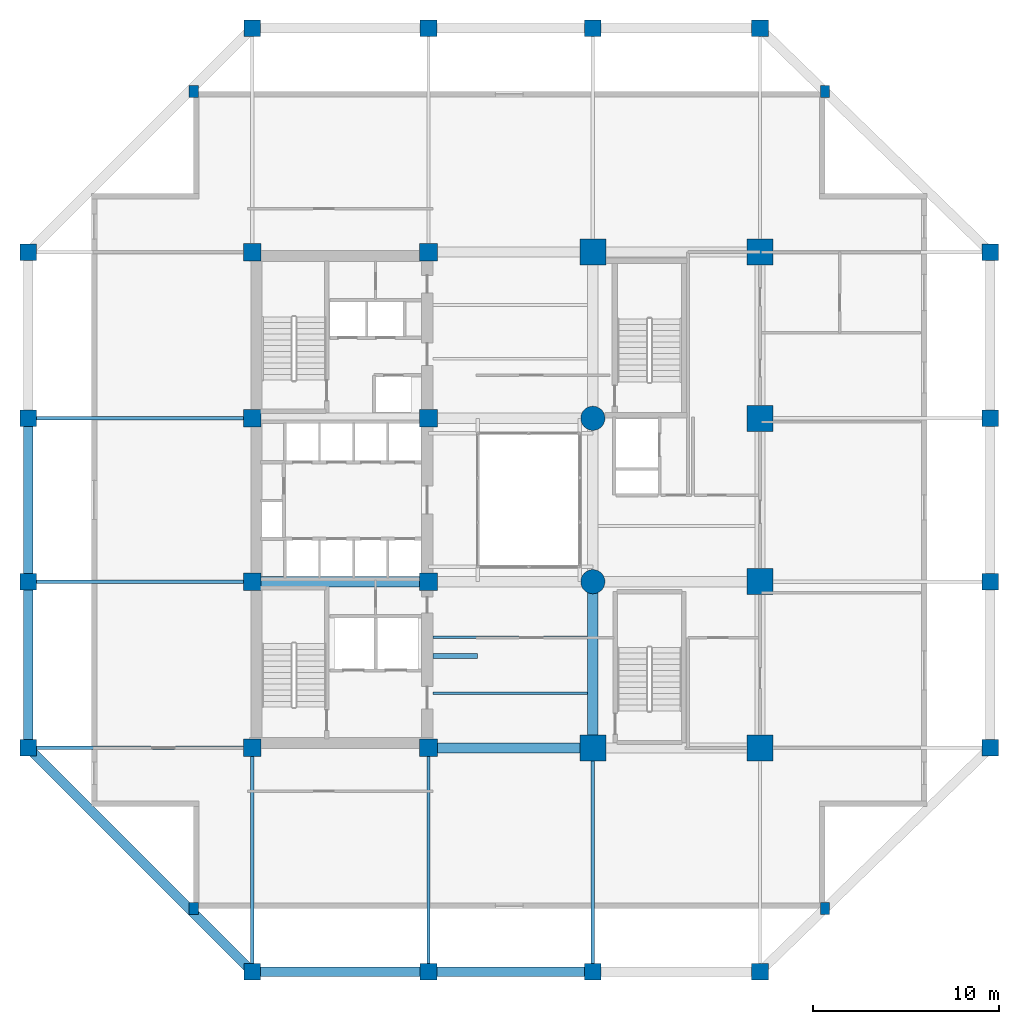
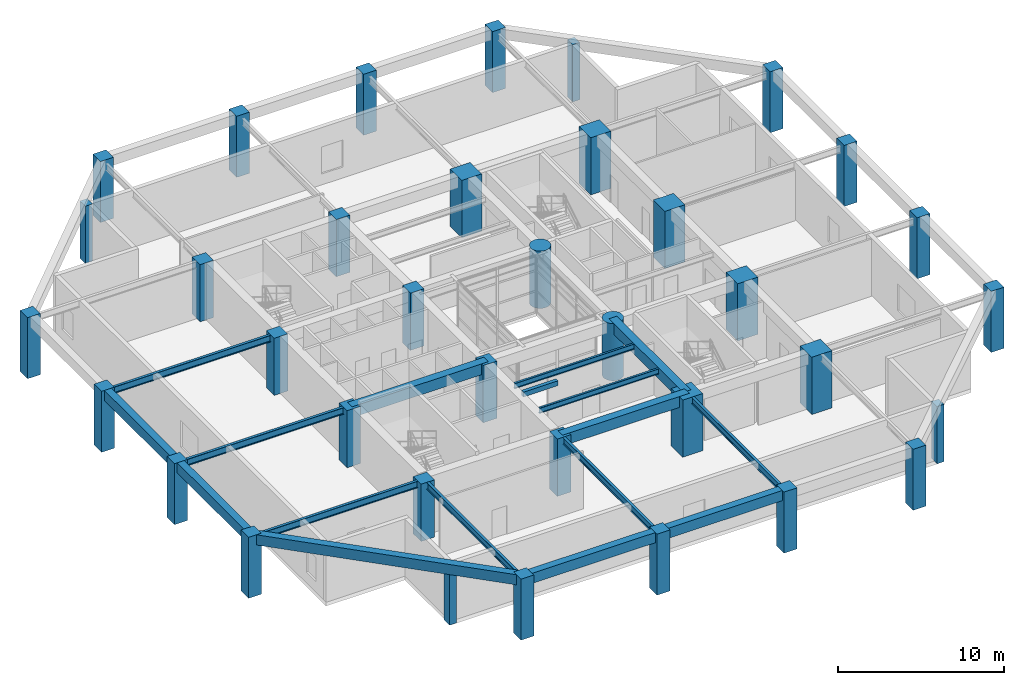
# One storey, part 1 of 10: 36 columns, 17 beams.
"""IFC4 building model written with IfcOpenShell, lengths in metres."""

from ifc_helpers import new_model, si_unit, direction, frame, origin, origin_2d, place, context, subcontext, project, spatial, rectangle, circle, i_section, extrude, material, material_profile, profile_set, type_object, element, save


model = new_model("IFC4")

# Units and contexts
model_context = context("Model", 3, precision=1e-05, world=origin(), true_north=direction((0.0, 1.0)))
body_context = subcontext(model_context, "Body", "Model", "MODEL_VIEW")
ifc_project = project(units=[si_unit("LENGTHUNIT", "METRE"), si_unit("AREAUNIT", "SQUARE_METRE"), si_unit("VOLUMEUNIT", "CUBIC_METRE"), si_unit("PLANEANGLEUNIT", "RADIAN"), si_unit("MASSUNIT", "GRAM", prefix="KILO")], contexts=[model_context])

# Site, building, storey
site_placement = place(None, origin())
site = spatial("IfcSite", under=ifc_project, at=site_placement, CompositionType="ELEMENT")
building_placement = place(site_placement, origin())
building = spatial("IfcBuilding", under=site, at=building_placement, Name="Kundavana Baori Tower", CompositionType="ELEMENT")
storey_placement = place(building_placement, frame((0.0, 0.0, 8.0)))
storey = spatial("IfcBuildingStorey", under=building, at=storey_placement, Name="L01", CompositionType="ELEMENT", Elevation=8.0)

# Columns
ifc_material_1 = material(Name="Concrete C60/75", Category="concrete")
ifc_material_profile_1 = material_profile(ifc_material_1, rectangle(XDim=0.89990234375, YDim=0.89990234375, at=origin_2d()), Name="RC PF 900x900")
ifc_profile_set_1 = profile_set([ifc_material_profile_1], Name="Concrete C60/75")
column_type_1 = type_object("IfcColumnType", Name="COL-PF-900", PredefinedType="COLUMN", material=ifc_profile_set_1)
for number, where, z_axis, x_axis, name in (
    (1, (15.449951171875, 3.199951171875, 0.0), (0.0, 0.0, 1.0), (1.0, 0.0, 0.0), "L01 Stone-Clad Perimeter Frame Column PF-S1"),
    (2, (15.449951171875, 54.0, 0.0), (0.0, 0.0, 1.0), (1.0, 0.0, 0.0), "L01 Stone-Clad Perimeter Frame Column PF-N1"),
    (3, (24.949951171875, 3.199951171875, 0.0), (0.0, 0.0, 1.0), (1.0, 0.0, 0.0), "L01 Stone-Clad Perimeter Frame Column PF-S2"),
    (4, (24.949951171875, 54.0, 0.0), (0.0, 0.0, 1.0), (1.0, 0.0, 0.0), "L01 Stone-Clad Perimeter Frame Column PF-N2"),
    (5, (33.800048828125, 3.199951171875, 0.0), (0.0, 0.0, 1.0), (1.0, 0.0, 0.0), "L01 Stone-Clad Perimeter Frame Column PF-S3"),
    (6, (33.800048828125, 54.0, 0.0), (0.0, 0.0, 1.0), (1.0, 0.0, 0.0), "L01 Stone-Clad Perimeter Frame Column PF-N3"),
    (7, (42.800048828125, 3.199951171875, 0.0), (0.0, 0.0, 1.0), (1.0, 0.0, 0.0), "L01 Stone-Clad Perimeter Frame Column PF-S4"),
    (8, (42.800048828125, 54.0, 0.0), (0.0, 0.0, 1.0), (1.0, 0.0, 0.0), "L01 Stone-Clad Perimeter Frame Column PF-N4"),
    (9, (3.39990234375, 15.25, 0.0), (0.0, 0.0, 1.0), (1.0, 0.0, 0.0), "L01 Stone-Clad Perimeter Frame Column PF-W1"),
    (10, (55.199951171875, 15.25, 0.0), (0.0, 0.0, 1.0), (1.0, 0.0, 0.0), "L01 Stone-Clad Perimeter Frame Column PF-E1"),
    (11, (3.39990234375, 24.199951171875, 0.0), (0.0, 0.0, 1.0), (1.0, 0.0, 0.0), "L01 Stone-Clad Perimeter Frame Column PF-W2"),
    (12, (55.199951171875, 24.199951171875, 0.0), (0.0, 0.0, 1.0), (1.0, 0.0, 0.0), "L01 Stone-Clad Perimeter Frame Column PF-E2"),
    (13, (3.39990234375, 33.0, 0.0), (0.0, 0.0, 1.0), (1.0, 0.0, 0.0), "L01 Stone-Clad Perimeter Frame Column PF-W3"),
    (14, (55.199951171875, 33.0, 0.0), (0.0, 0.0, 1.0), (1.0, 0.0, 0.0), "L01 Stone-Clad Perimeter Frame Column PF-E3"),
    (15, (3.39990234375, 41.949951171875, 0.0), (0.0, 0.0, 1.0), (1.0, 0.0, 0.0), "L01 Stone-Clad Perimeter Frame Column PF-W4"),
    (16, (55.199951171875, 41.949951171875, 0.0), (0.0, 0.0, 1.0), (1.0, 0.0, 0.0), "L01 Stone-Clad Perimeter Frame Column PF-E4"),
):
    element("IfcColumn", number, at=place(storey_placement, frame(where, z_axis=z_axis, x_axis=x_axis)), inside=storey, type_object=column_type_1, Name=name, PredefinedType="COLUMN", context=body_context, shape_type="SweptSolid", body=[
        extrude(rectangle(XDim=0.89990234375, YDim=0.89990234375, at=origin_2d()), origin(), (0.0, 0.0, 1.0), 4.5),
    ])
ifc_material_2 = material(Name="Concrete C50/60", Category="concrete")
ifc_material_profile_2 = material_profile(ifc_material_2, rectangle(XDim=0.5, YDim=0.64990234375, at=origin_2d()), Name="RC PIL 500x650")
ifc_profile_set_2 = profile_set([ifc_material_profile_2], Name="Concrete C50/60")
column_type_2 = type_object("IfcColumnType", Name="COL-PIL-500", PredefinedType="PILASTER", material=ifc_profile_set_2)
for number, where, z_axis, x_axis, name in (
    (17, (12.300048828125, 6.60009765625, 0.0), (0.0, 0.0, 1.0), (1.0, 0.0, 0.0), "L01 Corner Notch Pilaster 1"),
    (18, (46.300048828125, 6.60009765625, 0.0), (0.0, 0.0, 1.0), (1.0, 0.0, 0.0), "L01 Corner Notch Pilaster 2"),
    (19, (46.300048828125, 50.60009765625, 0.0), (0.0, 0.0, 1.0), (1.0, 0.0, 0.0), "L01 Corner Notch Pilaster 3"),
    (20, (12.300048828125, 50.60009765625, 0.0), (0.0, 0.0, 1.0), (1.0, 0.0, 0.0), "L01 Corner Notch Pilaster 4"),
):
    element("IfcColumn", number, at=place(storey_placement, frame(where, z_axis=z_axis, x_axis=x_axis)), inside=storey, type_object=column_type_2, Name=name, PredefinedType="PILASTER", context=body_context, shape_type="SweptSolid", body=[
        extrude(rectangle(XDim=0.5, YDim=0.64990234375, at=origin_2d()), origin(), (0.0, 0.0, 1.0), 4.219970703125),
    ])
ifc_material_3 = material(Name="Concrete C60/75", Category="concrete")
ifc_material_profile_3 = material_profile(ifc_material_3, rectangle(XDim=1.39990234375, YDim=1.39990234375, at=origin_2d()), Name="RC 1400x1400")
ifc_profile_set_3 = profile_set([ifc_material_profile_3], Name="Concrete C60/75")
column_type_3 = type_object("IfcColumnType", Name="COL-RC-1400", PredefinedType="COLUMN", material=ifc_profile_set_3)
for number, where, z_axis, x_axis, name in (
    (21, (33.800048828125, 15.25, 0.0), (0.0, 0.0, 1.0), (1.0, 0.0, 0.0), "L01 Interior Column IC-5C"),
    (22, (33.800048828125, 41.949951171875, 0.0), (0.0, 0.0, 1.0), (1.0, 0.0, 0.0), "L01 Interior Column IC-5F"),
    (23, (42.800048828125, 15.25, 0.0), (0.0, 0.0, 1.0), (1.0, 0.0, 0.0), "L01 Interior Column IC-6C"),
    (24, (42.800048828125, 24.199951171875, 0.0), (0.0, 0.0, 1.0), (1.0, 0.0, 0.0), "L01 Interior Column IC-6D"),
    (25, (42.800048828125, 33.0, 0.0), (0.0, 0.0, 1.0), (1.0, 0.0, 0.0), "L01 Interior Column IC-6E"),
    (26, (42.800048828125, 41.949951171875, 0.0), (0.0, 0.0, 1.0), (1.0, 0.0, 0.0), "L01 Interior Column IC-6F"),
):
    element("IfcColumn", number, at=place(storey_placement, frame(where, z_axis=z_axis, x_axis=x_axis)), inside=storey, type_object=column_type_3, Name=name, PredefinedType="COLUMN", context=body_context, shape_type="SweptSolid", body=[
        extrude(rectangle(XDim=1.39990234375, YDim=1.39990234375, at=origin_2d()), origin(), (0.0, 0.0, 1.0), 4.219970703125),
    ])
ifc_material_4 = material(Name="Concrete C50/60", Category="concrete")
ifc_material_profile_4 = material_profile(ifc_material_4, rectangle(XDim=0.949951171875, YDim=0.949951171875, at=origin_2d()), Name="RC 950x950")
ifc_profile_set_4 = profile_set([ifc_material_profile_4], Name="Concrete C50/60")
column_type_4 = type_object("IfcColumnType", Name="COL-RC-950", PredefinedType="COLUMN", material=ifc_profile_set_4)
for number, where, z_axis, x_axis, name in (
    (27, (15.449951171875, 15.25, 0.0), (0.0, 0.0, 1.0), (1.0, 0.0, 0.0), "L01 Interior Column IC-3C"),
    (28, (15.449951171875, 24.199951171875, 0.0), (0.0, 0.0, 1.0), (1.0, 0.0, 0.0), "L01 Interior Column IC-3D"),
    (29, (15.449951171875, 33.0, 0.0), (0.0, 0.0, 1.0), (1.0, 0.0, 0.0), "L01 Interior Column IC-3E"),
    (30, (15.449951171875, 41.949951171875, 0.0), (0.0, 0.0, 1.0), (1.0, 0.0, 0.0), "L01 Interior Column IC-3F"),
    (31, (24.949951171875, 15.25, 0.0), (0.0, 0.0, 1.0), (1.0, 0.0, 0.0), "L01 Interior Column IC-4C"),
    (32, (24.949951171875, 24.199951171875, 0.0), (0.0, 0.0, 1.0), (1.0, 0.0, 0.0), "L01 Interior Column IC-4D"),
    (33, (24.949951171875, 33.0, 0.0), (0.0, 0.0, 1.0), (1.0, 0.0, 0.0), "L01 Interior Column IC-4E"),
    (34, (24.949951171875, 41.949951171875, 0.0), (0.0, 0.0, 1.0), (1.0, 0.0, 0.0), "L01 Interior Column IC-4F"),
):
    element("IfcColumn", number, at=place(storey_placement, frame(where, z_axis=z_axis, x_axis=x_axis)), inside=storey, type_object=column_type_4, Name=name, PredefinedType="COLUMN", context=body_context, shape_type="SweptSolid", body=[
        extrude(rectangle(XDim=0.949951171875, YDim=0.949951171875, at=origin_2d()), origin(), (0.0, 0.0, 1.0), 4.219970703125),
    ])
ifc_material_5 = material(Name="Concrete C60/75", Category="concrete")
ifc_material_profile_5 = material_profile(ifc_material_5, circle(Radius=0.64990234375, at=origin_2d()), Name="RC D1300")
ifc_profile_set_5 = profile_set([ifc_material_profile_5], Name="Concrete C60/75")
column_type_5 = type_object("IfcColumnType", Name="COL-RC-D1300", PredefinedType="COLUMN", material=ifc_profile_set_5)
for number, where, z_axis, x_axis, name in (
    (35, (33.800048828125, 24.199951171875, 0.0), (0.0, 0.0, 1.0), (1.0, 0.0, 0.0), "L01 Interior Column IC-5D"),
    (36, (33.800048828125, 33.0, 0.0), (0.0, 0.0, 1.0), (1.0, 0.0, 0.0), "L01 Interior Column IC-5E"),
):
    element("IfcColumn", number, at=place(storey_placement, frame(where, z_axis=z_axis, x_axis=x_axis)), inside=storey, type_object=column_type_5, Name=name, PredefinedType="COLUMN", context=body_context, shape_type="SweptSolid", body=[
        extrude(circle(Radius=0.64990234375, at=origin_2d()), origin(), (0.0, 0.0, 1.0), 4.219970703125),
    ])

# Beams
ifc_material_6 = material(Name="Structural Steel S355JR", Category="steel")
ifc_material_profile_6 = material_profile(ifc_material_6, i_section(OverallWidth=0.139892578125, OverallDepth=0.39990234375, WebThickness=0.0087890625, FlangeThickness=0.01611328125, FilletRadius=0.013916015625, at=origin_2d()), Name="ISMB 400")
ifc_profile_set_6 = profile_set([ifc_material_profile_6], Name="Structural Steel S355JR")
beam_type_1 = type_object("IfcBeamType", Name="BM-JST-400", PredefinedType="JOIST", material=ifc_profile_set_6)
for number, where, z_axis, x_axis, name in (
    (37, (25.179931640625, 18.199951171875, 4.02001953125), (1.0, 0.0, 0.0), (0.0, 1.0, 0.0), "L01 Central Bay Composite Floor Joist C1"),
    (38, (25.179931640625, 21.199951171875, 4.02001953125), (1.0, 0.0, 0.0), (0.0, 1.0, 0.0), "L01 Central Bay Composite Floor Joist C2"),
):
    element("IfcBeam", number, at=place(storey_placement, frame(where, z_axis=z_axis, x_axis=x_axis)), inside=storey, type_object=beam_type_1, Name=name, PredefinedType="JOIST", context=body_context, shape_type="SweptSolid", body=[
        extrude(i_section(OverallWidth=0.139892578125, OverallDepth=0.39990234375, WebThickness=0.0087890625, FlangeThickness=0.01611328125, FilletRadius=0.013916015625, at=origin_2d()), origin(), (0.0, 0.0, 1.0), 8.344970703125),
    ])
ifc_material_7 = material(Name="Concrete C40/50", Category="concrete")
ifc_material_profile_7 = material_profile(ifc_material_7, rectangle(XDim=0.25, YDim=0.35009765625, at=origin_2d()), Name="RC LNT 250x350")
ifc_profile_set_7 = profile_set([ifc_material_profile_7], Name="Concrete C40/50")
beam_type_2 = type_object("IfcBeamType", Name="BM-LNT-350", PredefinedType="LINTEL", material=ifc_profile_set_7)
beam_1_placement = place(storey_placement, frame((25.179931640625, 20.199951171875, 4.044921875), z_axis=(1.0, 0.0, 0.0), x_axis=(0.0, 1.0, 0.0)))
element("IfcBeam", 39, at=beam_1_placement, inside=storey, type_object=beam_type_2, Name="L01 Atrium Gallery Portal Lintel Beam", PredefinedType="LINTEL", context=body_context, shape_type="SweptSolid", body=[
    extrude(rectangle(XDim=0.25, YDim=0.35009765625, at=origin_2d()), origin(), (0.0, 0.0, 1.0), 2.420166015625),
])
ifc_material_8 = material(Name="Concrete C50/60", Category="concrete")
ifc_material_profile_8 = material_profile(ifc_material_8, rectangle(XDim=0.5, YDim=0.75, at=origin_2d()), Name="RC BM 500x750")
ifc_profile_set_8 = profile_set([ifc_material_profile_8], Name="Concrete C50/60")
beam_type_3 = type_object("IfcBeamType", Name="BM-PF-750", PredefinedType="SPANDREL", material=ifc_profile_set_8)
beam_2_placement = place(storey_placement, frame((15.449951171875, 3.199951171875, 4.125), z_axis=(1.0, 0.0, 0.0), x_axis=(0.0, 1.0, 0.0)))
element("IfcBeam", 40, at=beam_2_placement, inside=storey, type_object=beam_type_3, Name="L01 Perimeter Frame Ring Beam S1", PredefinedType="SPANDREL", context=body_context, shape_type="SweptSolid", body=[
    extrude(rectangle(XDim=0.5, YDim=0.75, at=origin_2d()), origin(), (0.0, 0.0, 1.0), 9.5),
])
beam_3_placement = place(storey_placement, frame((24.949951171875, 3.199951171875, 4.125), z_axis=(1.0, 0.0, 0.0), x_axis=(0.0, 1.0, 0.0)))
element("IfcBeam", 41, at=beam_3_placement, inside=storey, type_object=beam_type_3, Name="L01 Perimeter Frame Ring Beam S2", PredefinedType="SPANDREL", context=body_context, shape_type="SweptSolid", body=[
    extrude(rectangle(XDim=0.5, YDim=0.75, at=origin_2d()), origin(), (0.0, 0.0, 1.0), 8.85009765625),
])
beam_4_placement = place(storey_placement, frame((3.39990234375, 15.25, 4.125), z_axis=(0.0, 1.0, 0.0), x_axis=(-1.0, 0.0, 0.0)))
element("IfcBeam", 42, at=beam_4_placement, inside=storey, type_object=beam_type_3, Name="L01 Perimeter Frame Ring Beam W1", PredefinedType="SPANDREL", context=body_context, shape_type="SweptSolid", body=[
    extrude(rectangle(XDim=0.5, YDim=0.75, at=origin_2d()), origin(), (0.0, 0.0, 1.0), 8.949951171875),
])
beam_5_placement = place(storey_placement, frame((3.39990234375, 24.199951171875, 4.125), z_axis=(0.0, 1.0, 0.0), x_axis=(-1.0, 0.0, 0.0)))
element("IfcBeam", 43, at=beam_5_placement, inside=storey, type_object=beam_type_3, Name="L01 Perimeter Frame Ring Beam W2", PredefinedType="SPANDREL", context=body_context, shape_type="SweptSolid", body=[
    extrude(rectangle(XDim=0.5, YDim=0.75, at=origin_2d()), origin(), (0.0, 0.0, 1.0), 8.800048828125),
])
beam_6_placement = place(storey_placement, frame((15.449951171875, 3.199951171875, 4.125), z_axis=(-0.707106781187, 0.707106781187, 0.0), x_axis=(-0.707106781187, -0.707106781187, 0.0)))
element("IfcBeam", 44, at=beam_6_placement, inside=storey, type_object=beam_type_3, Name="L01 Notched Corner Perimeter Beam SW", PredefinedType="SPANDREL", context=body_context, shape_type="SweptSolid", body=[
    extrude(rectangle(XDim=0.5, YDim=0.75, at=origin_2d()), origin(), (0.0, 0.0, 1.0), 17.041259765625),
])
ifc_material_9 = material(Name="Concrete C50/60", Category="concrete")
ifc_material_profile_9 = material_profile(ifc_material_9, rectangle(XDim=0.550048828125, YDim=0.800048828125, at=origin_2d()), Name="RC BM 550x800")
ifc_profile_set_9 = profile_set([ifc_material_profile_9], Name="Concrete C50/60")
beam_type_4 = type_object("IfcBeamType", Name="BM-RC-800", PredefinedType="BEAM", material=ifc_profile_set_9)
beam_7_placement = place(storey_placement, frame((24.949951171875, 15.25, 3.820068359375), z_axis=(1.0, 0.0, 0.0), x_axis=(0.0, 1.0, 0.0)))
element("IfcBeam", 45, at=beam_7_placement, inside=storey, type_object=beam_type_4, Name="L01 Primary Grid Girder GX-1-2", PredefinedType="BEAM", context=body_context, shape_type="SweptSolid", body=[
    extrude(rectangle(XDim=0.550048828125, YDim=0.800048828125, at=origin_2d()), origin(), (0.0, 0.0, 1.0), 8.85009765625),
])
beam_8_placement = place(storey_placement, frame((15.449951171875, 24.199951171875, 3.820068359375), z_axis=(1.0, 0.0, 0.0), x_axis=(0.0, 1.0, 0.0)))
element("IfcBeam", 46, at=beam_8_placement, inside=storey, type_object=beam_type_4, Name="L01 Primary Grid Girder GX-2-1", PredefinedType="BEAM", context=body_context, shape_type="SweptSolid", body=[
    extrude(rectangle(XDim=0.550048828125, YDim=0.800048828125, at=origin_2d()), origin(), (0.0, 0.0, 1.0), 9.5),
])
beam_9_placement = place(storey_placement, frame((33.800048828125, 15.25, 3.820068359375), z_axis=(0.0, 1.0, 0.0), x_axis=(-1.0, 0.0, 0.0)))
element("IfcBeam", 47, at=beam_9_placement, inside=storey, type_object=beam_type_4, Name="L01 Primary Grid Girder GY-3-1", PredefinedType="BEAM", context=body_context, shape_type="SweptSolid", body=[
    extrude(rectangle(XDim=0.550048828125, YDim=0.800048828125, at=origin_2d()), origin(), (0.0, 0.0, 1.0), 8.949951171875),
])
ifc_material_10 = material(Name="Structural Steel S355JR", Category="steel")
ifc_material_profile_10 = material_profile(ifc_material_10, i_section(OverallWidth=0.179931640625, OverallDepth=0.5, WebThickness=0.01025390625, FlangeThickness=0.01708984375, FilletRadius=0.01708984375, at=origin_2d()), Name="ISMB 500")
ifc_profile_set_10 = profile_set([ifc_material_profile_10], Name="Structural Steel S355JR")
beam_type_5 = type_object("IfcBeamType", Name="BM-TIE-500", PredefinedType="BEAM", material=ifc_profile_set_10)
for number, where, z_axis, x_axis, name in (
    (48, (15.449951171875, 15.25, 3.969970703125), (0.0, -1.0, 0.0), (1.0, 0.0, 0.0), "L01 South Radial Loggia Tie Beam S1"),
    (49, (24.949951171875, 15.25, 3.969970703125), (0.0, -1.0, 0.0), (1.0, 0.0, 0.0), "L01 South Radial Loggia Tie Beam S2"),
    (50, (33.800048828125, 15.25, 3.969970703125), (0.0, -1.0, 0.0), (1.0, 0.0, 0.0), "L01 South Radial Loggia Tie Beam S3"),
    (51, (15.449951171875, 15.25, 3.969970703125), (-1.0, 0.0, 0.0), (0.0, -1.0, 0.0), "L01 West Radial Loggia Tie Beam W1"),
    (52, (15.449951171875, 24.199951171875, 3.969970703125), (-1.0, 0.0, 0.0), (0.0, -1.0, 0.0), "L01 West Radial Loggia Tie Beam W2"),
    (53, (15.449951171875, 33.0, 3.969970703125), (-1.0, 0.0, 0.0), (0.0, -1.0, 0.0), "L01 West Radial Loggia Tie Beam W3"),
):
    element("IfcBeam", number, at=place(storey_placement, frame(where, z_axis=z_axis, x_axis=x_axis)), inside=storey, type_object=beam_type_5, Name=name, PredefinedType="BEAM", context=body_context, shape_type="SweptSolid", body=[
        extrude(i_section(OverallWidth=0.179931640625, OverallDepth=0.5, WebThickness=0.01025390625, FlangeThickness=0.01708984375, FilletRadius=0.01708984375, at=origin_2d()), origin(), (0.0, 0.0, 1.0), 12.050048828125),
    ])

save(model, "model.ifc")
